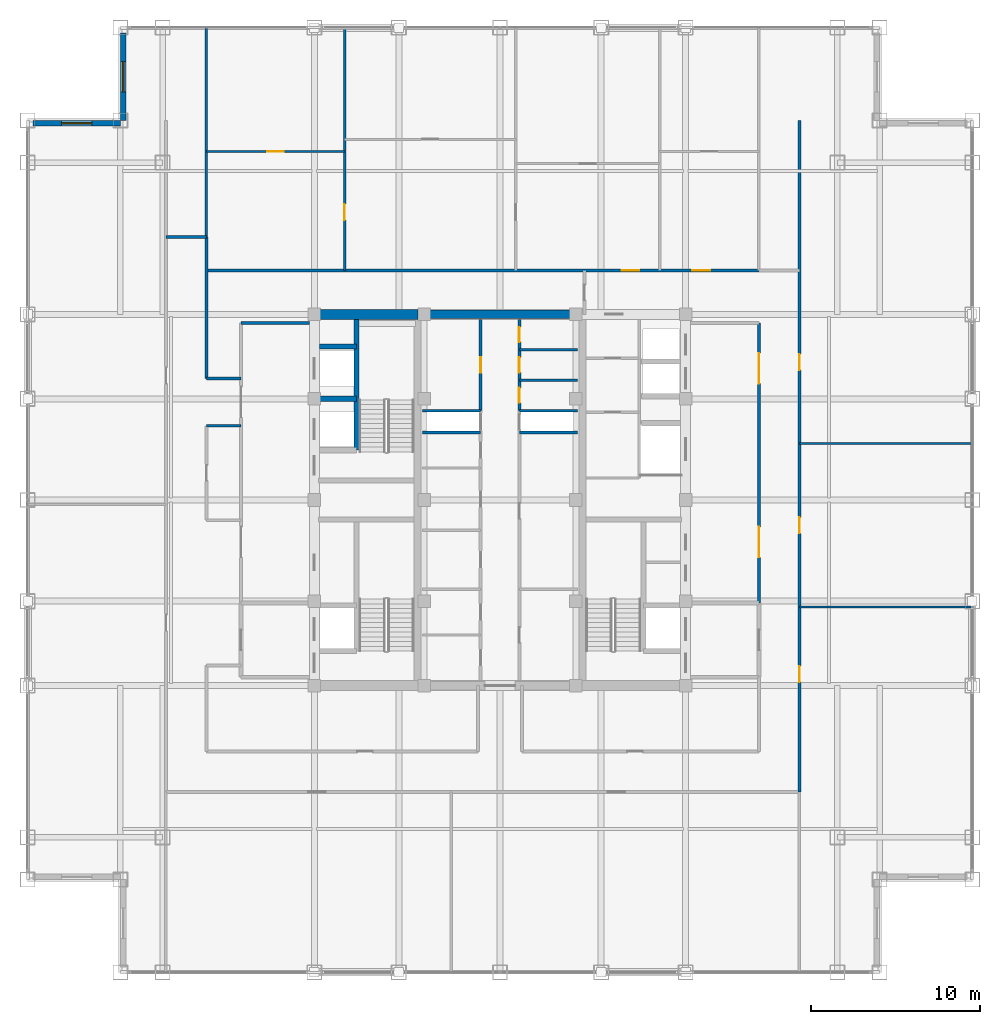
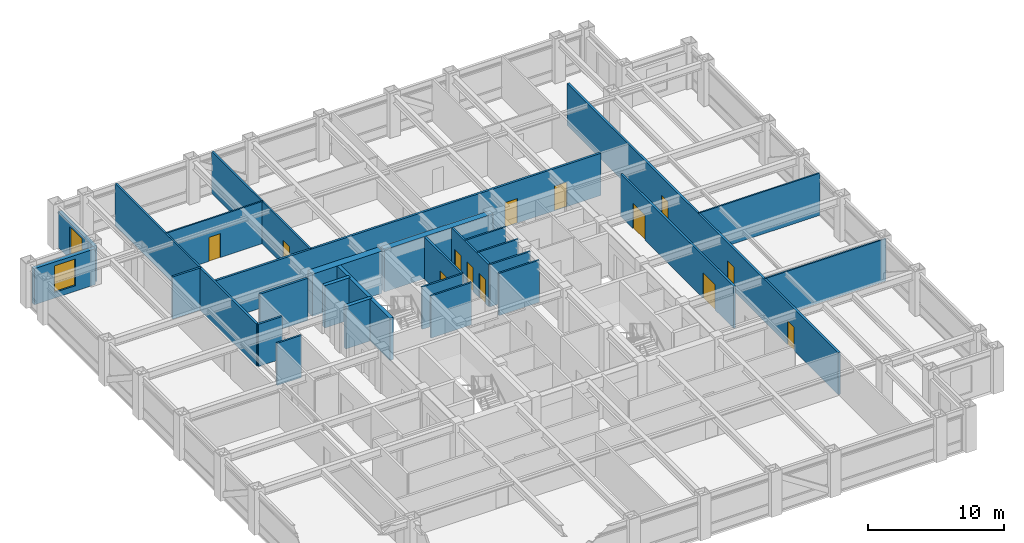
# One storey, part 20 of 22: 28 walls, 13 doors, 2 windows, 15 openings.
"""IFC4 building model written with IfcOpenShell, lengths in metres."""

from ifc_helpers import new_model, si_unit, direction, frame, frame_2d, origin, place, context, subcontext, project, spatial, rectangle, extrude, source, transform, mapped, material, layer, layer_set, type_object, element, fill, save


model = new_model("IFC4")

# Units and contexts
model_context = context("Model", 3, precision=1e-05, world=origin(), true_north=direction((0.0, 1.0)))
body_context = subcontext(model_context, "Body", "Model", "MODEL_VIEW")
ifc_project = project(units=[si_unit("LENGTHUNIT", "METRE"), si_unit("AREAUNIT", "SQUARE_METRE"), si_unit("VOLUMEUNIT", "CUBIC_METRE"), si_unit("PLANEANGLEUNIT", "RADIAN"), si_unit("MASSUNIT", "GRAM", prefix="KILO")], contexts=[model_context])

# Site, building, storey
site_placement = place(None, origin())
site = spatial("IfcSite", under=ifc_project, at=site_placement, CompositionType="ELEMENT")
building_placement = place(site_placement, origin())
building = spatial("IfcBuilding", under=site, at=building_placement, Name="Khorayat Bourse Tower", CompositionType="ELEMENT")
storey_placement = place(building_placement, frame((0.0, 0.0, 309.5)))
storey = spatial("IfcBuildingStorey", under=building, at=storey_placement, Name="L73", CompositionType="ELEMENT", Elevation=309.5)

# Walls
ifc_material_1 = material(Name="Concrete C60/75", Category="concrete")
ifc_layer_1 = layer(ifc_material_1, 0.60009765625)
ifc_layer_set_1 = layer_set([ifc_layer_1], Name="Concrete C60/75")
wall_type_1 = type_object("IfcWallType", Name="WAL-CORE-600", PredefinedType="SHEAR", material=ifc_layer_set_1)
shared_shape_1 = source(origin(), body_context, "Body", "SweptSolid", [
    extrude(rectangle(XDim=5.89990234375, YDim=0.60009765625, at=frame_2d((2.949951171875, 0.0))), origin(), (0.0, 0.0, 1.0), 3.780029296875),
])
wall_1_placement = place(storey_placement, frame((-10.75, 11.0, 0.0), z_axis=(0.0, 0.0, 1.0), x_axis=(1.0, 0.0, 0.0)))
element("IfcWall", 1, at=wall_1_placement, inside=storey, type_object=wall_type_1, Name="L73 Core Shear Wall PIER-WN", PredefinedType="SHEAR", context=body_context, shape_type="MappedRepresentation", body=[
    mapped(shared_shape_1, transform((0.0, 0.0, 0.0), scale=1.0)),
])
ifc_material_2 = material(Name="Concrete C52/65", Category="concrete")
ifc_layer_2 = layer(ifc_material_2, 0.5)
ifc_layer_set_2 = layer_set([ifc_layer_2], Name="Concrete C52/65")
wall_type_2 = type_object("IfcWallType", Name="WAL-CORE-500", PredefinedType="SHEAR", material=ifc_layer_set_2)
shared_shape_2 = source(origin(), body_context, "Body", "SweptSolid", [
    extrude(rectangle(XDim=9.2001953125, YDim=0.5, at=frame_2d((4.60009765625, 0.0))), origin(), (0.0, 0.0, 1.0), 3.780029296875),
])
wall_2_placement = place(storey_placement, frame((-4.60009765625, 11.0, 0.0), z_axis=(0.0, 0.0, 1.0), x_axis=(1.0, 0.0, 0.0)))
element("IfcWall", 2, at=wall_2_placement, inside=storey, type_object=wall_type_2, Name="L73 Core Shear Wall CORE-N", PredefinedType="SHEAR", context=body_context, shape_type="MappedRepresentation", body=[
    mapped(shared_shape_2, transform((0.0, 0.0, 0.0), scale=1.0)),
])

# Wall, opening, window
ifc_material_3 = material(Name="Precast concrete C45/55", Category="concrete")
ifc_layer_3 = layer(ifc_material_3, 0.320068359375)
ifc_layer_set_3 = layer_set([ifc_layer_3], Name="Precast concrete C45/55")
wall_type_3 = type_object("IfcWallType", Name="WAL-EXT-STONE-320", PredefinedType="STANDARD", material=ifc_layer_set_3)
shared_shape_3 = source(origin(), body_context, "Body", "SweptSolid", [
    extrude(rectangle(XDim=5.179931640625, YDim=0.320068359375, at=frame_2d((2.58984375, 0.0))), origin(), (0.0, 0.0, 1.0), 3.23095703125),
])
wall_3_placement = place(storey_placement, frame((-22.340087890625, 22.5, 0.0), z_axis=(0.0, 0.0, 1.0), x_axis=(0.0, 1.0, 0.0)))
wall_3 = element("IfcWall", 3, at=wall_3_placement, inside=storey, type_object=wall_type_3, Name="L73 Re-Entrant Notch Limestone Wall NW-V", PredefinedType="STANDARD", context=body_context, shape_type="MappedRepresentation", body=[
    mapped(shared_shape_3, transform((0.0, 0.0, 0.0), scale=1.0)),
])
shared_shape_4 = source(origin(), body_context, "Body", "SweptSolid", [
    extrude(rectangle(XDim=1.800048828125, YDim=2.39990234375, at=frame_2d((0.89990234375, 1.199951171875))), frame((0.0, 0.169921875, 0.0), z_axis=(0.0, -1.0, 0.0), x_axis=(1.0, 0.0, 0.0)), (0.0, 0.0, 1.0), 0.340087890625),
])
opening_1_placement = place(wall_3_placement, frame((1.68994140625, 0.0, 0.5)))
opening_1 = element("IfcOpeningElement", 4, at=opening_1_placement, cuts=wall_3, Name="Opening WN-04", PredefinedType="OPENING", context=body_context, shape_type="MappedRepresentation", body=[
    mapped(shared_shape_4, transform((0.0, 0.0, 0.0), scale=1.0)),
])
ifc_material_4 = material(Name="Low-E acoustic laminated double glazing", Category="glass")
window_type = type_object("IfcWindowType", Name="WIN-NOTCH-1800x2400", PartitioningType="SINGLE_PANEL", PredefinedType="WINDOW", material=ifc_material_4)
shared_shape_5 = source(origin(), body_context, "Body", "SweptSolid", [
    extrude(rectangle(XDim=1.800048828125, YDim=2.39990234375, at=frame_2d((0.89990234375, 1.199951171875))), frame((0.0, 0.030029296875, 0.0), z_axis=(0.0, -1.0, 0.0), x_axis=(1.0, 0.0, 0.0)), (0.0, 0.0, 1.0), 0.06005859375),
])
window_1_placement = place(opening_1_placement, origin())
window_1 = element("IfcWindow", 5, at=window_1_placement, inside=storey, type_object=window_type, Name="L73 Facade Window 1", OverallHeight=2.39990234375, OverallWidth=1.800048828125, PartitioningType="SINGLE_PANEL", PredefinedType="WINDOW", context=body_context, shape_type="MappedRepresentation", body=[
    mapped(shared_shape_5, transform((0.0, 0.0, 0.0), scale=1.0)),
])
fill(opening_1, window_1)

wall_4_placement = place(storey_placement, frame((-22.5, 22.340087890625, 0.0), z_axis=(0.0, 0.0, 1.0), x_axis=(-1.0, 0.0, 0.0)))
wall_4 = element("IfcWall", 6, at=wall_4_placement, inside=storey, type_object=wall_type_3, Name="L73 Re-Entrant Notch Limestone Wall NW-H", PredefinedType="STANDARD", context=body_context, shape_type="MappedRepresentation", body=[
    mapped(shared_shape_3, transform((0.0, 0.0, 0.0), scale=1.0)),
])
opening_2_placement = place(wall_4_placement, frame((1.68994140625, 0.0, 0.5)))
opening_2 = element("IfcOpeningElement", 7, at=opening_2_placement, cuts=wall_4, Name="Opening WN-04", PredefinedType="OPENING", context=body_context, shape_type="MappedRepresentation", body=[
    mapped(shared_shape_4, transform((0.0, 0.0, 0.0), scale=1.0)),
])
window_2_placement = place(opening_2_placement, origin())
window_2 = element("IfcWindow", 8, at=window_2_placement, inside=storey, type_object=window_type, Name="L73 Facade Window 1", OverallHeight=2.39990234375, OverallWidth=1.800048828125, PartitioningType="SINGLE_PANEL", PredefinedType="WINDOW", context=body_context, shape_type="MappedRepresentation", body=[
    mapped(shared_shape_5, transform((0.0, 0.0, 0.0), scale=1.0)),
])
fill(opening_2, window_2)

# Walls
ifc_material_5 = material(Name="Concrete C50/60", Category="concrete")
ifc_layer_4 = layer(ifc_material_5, 0.300048828125)
ifc_layer_set_4 = layer_set([ifc_layer_4], Name="Concrete C50/60")
wall_type_4 = type_object("IfcWallType", Name="WAL-SHAFT-300", PredefinedType="SHEAR", material=ifc_layer_set_4)
shared_shape_6 = source(origin(), body_context, "Body", "SweptSolid", [
    extrude(rectangle(XDim=2.199951171875, YDim=0.300048828125, at=frame_2d((1.10009765625, 0.0))), origin(), (0.0, 0.0, 1.0), 3.780029296875),
])
for number, where, z_axis, x_axis, name in (
    (9, (-10.699951171875, 6.0, 0.0), (0.0, 0.0, 1.0), (1.0, 0.0, 0.0), "L73 Partition WAL-L73-WPIER-H12"),
    (10, (-10.699951171875, 9.10009765625, 0.0), (0.0, 0.0, 1.0), (1.0, 0.0, 0.0), "L73 Partition WAL-L73-WPIER-H2N"),
):
    element("IfcWall", number, at=place(storey_placement, frame(where, z_axis=z_axis, x_axis=x_axis)), inside=storey, type_object=wall_type_4, Name=name, PredefinedType="SHEAR", context=body_context, shape_type="MappedRepresentation", body=[
        mapped(shared_shape_6, transform((0.0, 0.0, 0.0), scale=1.0)),
    ])
shared_shape_7 = source(origin(), body_context, "Body", "SweptSolid", [
    extrude(rectangle(XDim=7.75, YDim=0.300048828125, at=frame_2d((3.875, 0.0))), origin(), (0.0, 0.0, 1.0), 3.780029296875),
])
wall_5_placement = place(storey_placement, frame((-8.5, 2.949951171875, 0.0), z_axis=(0.0, 0.0, 1.0), x_axis=(0.0, 1.0, 0.0)))
element("IfcWall", 11, at=wall_5_placement, inside=storey, type_object=wall_type_4, Name="L73 Partition WAL-L73-WPIER-ST2S", PredefinedType="SHEAR", context=body_context, shape_type="MappedRepresentation", body=[
    mapped(shared_shape_7, transform((0.0, 0.0, 0.0), scale=1.0)),
])
ifc_material_6 = material(Name="Gypsum plasterboard acoustic stud wall")
ifc_layer_5 = layer(ifc_material_6, 0.179931640625)
ifc_layer_set_5 = layer_set([ifc_layer_5], Name="Gypsum plasterboard acoustic stud wall")
wall_type_5 = type_object("IfcWallType", Name="WAL-PART-CORR-180", PredefinedType="PARTITIONING", material=ifc_layer_set_5)
shared_shape_8 = source(origin(), body_context, "Body", "SweptSolid", [
    extrude(rectangle(XDim=4.050048828125, YDim=0.179931640625, at=frame_2d((2.02490234375, 0.0))), origin(), (0.0, 0.0, 1.0), 3.780029296875),
])
wall_6_placement = place(storey_placement, frame((-15.35009765625, 10.5, 0.0), z_axis=(0.0, 0.0, 1.0), x_axis=(1.0, 0.0, 0.0)))
element("IfcWall", 12, at=wall_6_placement, inside=storey, type_object=wall_type_5, Name="L73 Partition WAL-L73-WLOB-N", PredefinedType="PARTITIONING", context=body_context, shape_type="MappedRepresentation", body=[
    mapped(shared_shape_8, transform((0.0, 0.0, 0.0), scale=1.0)),
])

# Wall, openings, doors
shared_shape_9 = source(origin(), body_context, "Body", "SweptSolid", [
    extrude(rectangle(XDim=16.60009765625, YDim=0.179931640625, at=frame_2d((8.300048828125, 0.0))), origin(), (0.0, 0.0, 1.0), 3.780029296875),
])
wall_7_placement = place(storey_placement, frame((15.35009765625, -6.10009765625, 0.0), z_axis=(0.0, 0.0, 1.0), x_axis=(0.0, 1.0, 0.0)))
wall_7 = element("IfcWall", 13, at=wall_7_placement, inside=storey, type_object=wall_type_5, Name="L73 Partition WAL-L73-ELOB-E", PredefinedType="PARTITIONING", context=body_context, shape_type="MappedRepresentation", body=[
    mapped(shared_shape_9, transform((0.0, 0.0, 0.0), scale=1.0)),
])
shared_shape_10 = source(origin(), body_context, "Body", "SweptSolid", [
    extrude(rectangle(XDim=1.800048828125, YDim=2.25, at=frame_2d((0.89990234375, 1.125))), frame((0.0, 0.099853515625, 0.0), z_axis=(0.0, -1.0, 0.0), x_axis=(1.0, 0.0, 0.0)), (0.0, 0.0, 1.0), 0.199951171875),
])
opening_3_placement = place(wall_7_placement, frame((2.699951171875, 0.0, 0.0)))
opening_3 = element("IfcOpeningElement", 14, at=opening_3_placement, cuts=wall_7, Name="Opening DI-03", PredefinedType="OPENING", context=body_context, shape_type="MappedRepresentation", body=[
    mapped(shared_shape_10, transform((0.0, 0.0, 0.0), scale=1.0)),
])
opening_4_placement = place(wall_7_placement, frame((13.0, 0.0, 0.0)))
opening_4 = element("IfcOpeningElement", 15, at=opening_4_placement, cuts=wall_7, Name="Opening DI-03", PredefinedType="OPENING", context=body_context, shape_type="MappedRepresentation", body=[
    mapped(shared_shape_10, transform((0.0, 0.0, 0.0), scale=1.0)),
])
ifc_material_7 = material(Name="Fire-rated hardwood vision-panel double leaf", Category="wood")
door_type_1 = type_object("IfcDoorType", Name="DR-INT-CORR-1800", OperationType="NOTDEFINED", PredefinedType="DOOR", material=ifc_material_7)
shared_shape_11 = source(origin(), body_context, "Body", "SweptSolid", [
    extrude(rectangle(XDim=1.800048828125, YDim=2.25, at=frame_2d((0.89990234375, 1.125))), frame((0.0, 0.02490234375, 0.0), z_axis=(0.0, -1.0, 0.0), x_axis=(1.0, 0.0, 0.0)), (0.0, 0.0, 1.0), 0.050048828125),
])
door_1_placement = place(opening_3_placement, origin())
door_1 = element("IfcDoor", 16, at=door_1_placement, inside=storey, type_object=door_type_1, Name="L73 East Core Lobby South Door", OperationType="SINGLE_SWING_RIGHT", OverallHeight=2.25, OverallWidth=1.800048828125, PredefinedType="DOOR", context=body_context, shape_type="MappedRepresentation", body=[
    mapped(shared_shape_11, transform((0.0, 0.0, 0.0), scale=1.0)),
])
fill(opening_3, door_1)
door_2_placement = place(opening_4_placement, origin())
door_2 = element("IfcDoor", 17, at=door_2_placement, inside=storey, type_object=door_type_1, Name="L73 East Core Lobby North Door", OperationType="SINGLE_SWING_LEFT", OverallHeight=2.25, OverallWidth=1.800048828125, PredefinedType="DOOR", context=body_context, shape_type="MappedRepresentation", body=[
    mapped(shared_shape_11, transform((0.0, 0.0, 0.0), scale=1.0)),
])
fill(opening_4, door_2)

# Walls
ifc_material_8 = material(Name="Gypsum plasterboard twin-frame partition")
ifc_layer_6 = layer(ifc_material_8, 0.14990234375)
ifc_layer_set_6 = layer_set([ifc_layer_6], Name="Gypsum plasterboard twin-frame partition")
wall_type_6 = type_object("IfcWallType", Name="WAL-PART-SUITE-150", PredefinedType="PARTITIONING", material=ifc_layer_set_6)
shared_shape_12 = source(origin(), body_context, "Body", "SweptSolid", [
    extrude(rectangle(XDim=3.4501953125, YDim=0.14990234375, at=frame_2d((1.72509765625, 0.0))), origin(), (0.0, 0.0, 1.0), 3.780029296875),
])
for number, where, z_axis, x_axis, name in (
    (18, (-4.60009765625, 4.0, 0.0), (0.0, 0.0, 1.0), (1.0, 0.0, 0.0), "L73 Partition WAL-L73-CRSW-S"),
    (19, (1.14990234375, 4.0, 0.0), (0.0, 0.0, 1.0), (1.0, 0.0, 0.0), "L73 Partition WAL-L73-CRSE-S"),
    (20, (-4.60009765625, 5.300048828125, 0.0), (0.0, 0.0, 1.0), (1.0, 0.0, 0.0), "L73 Partition WAL-L73-FB2-SW"),
    (21, (1.14990234375, 5.300048828125, 0.0), (0.0, 0.0, 1.0), (1.0, 0.0, 0.0), "L73 Partition WAL-L73-FB2-SE"),
):
    element("IfcWall", number, at=place(storey_placement, frame(where, z_axis=z_axis, x_axis=x_axis)), inside=storey, type_object=wall_type_6, Name=name, PredefinedType="PARTITIONING", context=body_context, shape_type="MappedRepresentation", body=[
        mapped(shared_shape_12, transform((0.0, 0.0, 0.0), scale=1.0)),
    ])

# Wall, opening, door
shared_shape_13 = source(origin(), body_context, "Body", "SweptSolid", [
    extrude(rectangle(XDim=5.39990234375, YDim=0.179931640625, at=frame_2d((2.699951171875, 0.0))), origin(), (0.0, 0.0, 1.0), 3.780029296875),
])
wall_8_placement = place(storey_placement, frame((-1.14990234375, 5.300048828125, 0.0), z_axis=(0.0, 0.0, 1.0), x_axis=(0.0, 1.0, 0.0)))
wall_8 = element("IfcWall", 22, at=wall_8_placement, inside=storey, type_object=wall_type_5, Name="L73 Partition WAL-L73-FB2W-L", PredefinedType="PARTITIONING", context=body_context, shape_type="MappedRepresentation", body=[
    mapped(shared_shape_13, transform((0.0, 0.0, 0.0), scale=1.0)),
])
shared_shape_14 = source(origin(), body_context, "Body", "SweptSolid", [
    extrude(rectangle(XDim=0.89990234375, YDim=2.14990234375, at=frame_2d((0.449951171875, 1.074951171875))), frame((0.0, 0.099853515625, 0.0), z_axis=(0.0, -1.0, 0.0), x_axis=(1.0, 0.0, 0.0)), (0.0, 0.0, 1.0), 0.199951171875),
])
opening_5_placement = place(wall_8_placement, frame((2.25, 0.0, 0.0)))
opening_5 = element("IfcOpeningElement", 23, at=opening_5_placement, cuts=wall_8, Name="Opening DI-06", PredefinedType="OPENING", context=body_context, shape_type="MappedRepresentation", body=[
    mapped(shared_shape_14, transform((0.0, 0.0, 0.0), scale=1.0)),
])
ifc_material_9 = material(Name="Moisture-resistant laminate washroom door")
door_type_2 = type_object("IfcDoorType", Name="DR-INT-WC-900", OperationType="NOTDEFINED", PredefinedType="DOOR", material=ifc_material_9)
shared_shape_15 = source(origin(), body_context, "Body", "SweptSolid", [
    extrude(rectangle(XDim=0.89990234375, YDim=2.14990234375, at=frame_2d((0.449951171875, 1.074951171875))), frame((0.0, 0.02490234375, 0.0), z_axis=(0.0, -1.0, 0.0), x_axis=(1.0, 0.0, 0.0)), (0.0, 0.0, 1.0), 0.050048828125),
])
door_3_placement = place(opening_5_placement, origin())
door_3 = element("IfcDoor", 24, at=door_3_placement, inside=storey, type_object=door_type_2, Name="L73 Executive Archive Vault Door", OperationType="SINGLE_SWING_RIGHT", OverallHeight=2.14990234375, OverallWidth=0.89990234375, PredefinedType="DOOR", context=body_context, shape_type="MappedRepresentation", body=[
    mapped(shared_shape_15, transform((0.0, 0.0, 0.0), scale=1.0)),
])
fill(opening_5, door_3)

# Wall, openings, doors
wall_9_placement = place(storey_placement, frame((1.14990234375, 5.300048828125, 0.0), z_axis=(0.0, 0.0, 1.0), x_axis=(0.0, 1.0, 0.0)))
wall_9 = element("IfcWall", 25, at=wall_9_placement, inside=storey, type_object=wall_type_5, Name="L73 Partition WAL-L73-FB2E-L", PredefinedType="PARTITIONING", context=body_context, shape_type="MappedRepresentation", body=[
    mapped(shared_shape_13, transform((0.0, 0.0, 0.0), scale=1.0)),
])
opening_6_placement = place(wall_9_placement, frame((0.449951171875, 0.0, 0.0)))
opening_6 = element("IfcOpeningElement", 26, at=opening_6_placement, cuts=wall_9, Name="Opening DI-06", PredefinedType="OPENING", context=body_context, shape_type="MappedRepresentation", body=[
    mapped(shared_shape_14, transform((0.0, 0.0, 0.0), scale=1.0)),
])
opening_7_placement = place(wall_9_placement, frame((2.25, 0.0, 0.0)))
opening_7 = element("IfcOpeningElement", 27, at=opening_7_placement, cuts=wall_9, Name="Opening DI-06", PredefinedType="OPENING", context=body_context, shape_type="MappedRepresentation", body=[
    mapped(shared_shape_14, transform((0.0, 0.0, 0.0), scale=1.0)),
])
opening_8_placement = place(wall_9_placement, frame((4.050048828125, 0.0, 0.0)))
opening_8 = element("IfcOpeningElement", 28, at=opening_8_placement, cuts=wall_9, Name="Opening DI-06", PredefinedType="OPENING", context=body_context, shape_type="MappedRepresentation", body=[
    mapped(shared_shape_14, transform((0.0, 0.0, 0.0), scale=1.0)),
])
door_4_placement = place(opening_6_placement, origin())
door_4 = element("IfcDoor", 29, at=door_4_placement, inside=storey, type_object=door_type_2, Name="L73 Facility Store A Door", OperationType="SINGLE_SWING_RIGHT", OverallHeight=2.14990234375, OverallWidth=0.89990234375, PredefinedType="DOOR", context=body_context, shape_type="MappedRepresentation", body=[
    mapped(shared_shape_15, transform((0.0, 0.0, 0.0), scale=1.0)),
])
fill(opening_6, door_4)
door_5_placement = place(opening_7_placement, origin())
door_5 = element("IfcDoor", 30, at=door_5_placement, inside=storey, type_object=door_type_2, Name="L73 BMS Closet Door", OperationType="SINGLE_SWING_LEFT", OverallHeight=2.14990234375, OverallWidth=0.89990234375, PredefinedType="DOOR", context=body_context, shape_type="MappedRepresentation", body=[
    mapped(shared_shape_15, transform((0.0, 0.0, 0.0), scale=1.0)),
])
fill(opening_7, door_5)
door_6_placement = place(opening_8_placement, origin())
door_6 = element("IfcDoor", 31, at=door_6_placement, inside=storey, type_object=door_type_2, Name="L73 Facility Store B Door", OperationType="SINGLE_SWING_RIGHT", OverallHeight=2.14990234375, OverallWidth=0.89990234375, PredefinedType="DOOR", context=body_context, shape_type="MappedRepresentation", body=[
    mapped(shared_shape_15, transform((0.0, 0.0, 0.0), scale=1.0)),
])
fill(opening_8, door_6)

# Walls
ifc_material_10 = material(Name="Moisture-resistant masonry partition", Category="masonry")
ifc_layer_7 = layer(ifc_material_10, 0.139892578125)
ifc_layer_set_7 = layer_set([ifc_layer_7], Name="Moisture-resistant masonry partition")
wall_type_7 = type_object("IfcWallType", Name="WAL-PART-WET-140", PredefinedType="PARTITIONING", material=ifc_layer_set_7)
shared_shape_16 = source(origin(), body_context, "Body", "SweptSolid", [
    extrude(rectangle(XDim=3.4501953125, YDim=0.139892578125, at=frame_2d((1.72509765625, 0.0))), origin(), (0.0, 0.0, 1.0), 3.780029296875),
])
for number, where, z_axis, x_axis, name in (
    (32, (1.14990234375, 7.10009765625, 0.0), (0.0, 0.0, 1.0), (1.0, 0.0, 0.0), "L73 Partition WAL-L73-FB2E-D1"),
    (33, (1.14990234375, 8.89990234375, 0.0), (0.0, 0.0, 1.0), (1.0, 0.0, 0.0), "L73 Partition WAL-L73-FB2E-D2"),
):
    element("IfcWall", number, at=place(storey_placement, frame(where, z_axis=z_axis, x_axis=x_axis)), inside=storey, type_object=wall_type_7, Name=name, PredefinedType="PARTITIONING", context=body_context, shape_type="MappedRepresentation", body=[
        mapped(shared_shape_16, transform((0.0, 0.0, 0.0), scale=1.0)),
    ])
shared_shape_17 = source(origin(), body_context, "Body", "SweptSolid", [
    extrude(rectangle(XDim=2.0498046875, YDim=0.14990234375, at=frame_2d((1.02490234375, 0.0))), origin(), (0.0, 0.0, 1.0), 3.780029296875),
])
wall_10_placement = place(storey_placement, frame((-17.39990234375, 4.39990234375, 0.0), z_axis=(0.0, 0.0, 1.0), x_axis=(1.0, 0.0, 0.0)))
element("IfcWall", 34, at=wall_10_placement, inside=storey, type_object=wall_type_6, Name="L73 Partition WAL-L73-PKWM-N", PredefinedType="PARTITIONING", context=body_context, shape_type="MappedRepresentation", body=[
    mapped(shared_shape_17, transform((0.0, 0.0, 0.0), scale=1.0)),
])
shared_shape_18 = source(origin(), body_context, "Body", "SweptSolid", [
    extrude(rectangle(XDim=2.0498046875, YDim=0.179931640625, at=frame_2d((1.02490234375, 0.0))), origin(), (0.0, 0.0, 1.0), 3.780029296875),
])
wall_11_placement = place(storey_placement, frame((-17.39990234375, 7.199951171875, 0.0), z_axis=(0.0, 0.0, 1.0), x_axis=(1.0, 0.0, 0.0)))
element("IfcWall", 35, at=wall_11_placement, inside=storey, type_object=wall_type_5, Name="L73 Partition WAL-L73-THRWN-T", PredefinedType="PARTITIONING", context=body_context, shape_type="MappedRepresentation", body=[
    mapped(shared_shape_18, transform((0.0, 0.0, 0.0), scale=1.0)),
])
shared_shape_19 = source(origin(), body_context, "Body", "SweptSolid", [
    extrude(rectangle(XDim=8.400146484375, YDim=0.179931640625, at=frame_2d((4.2001953125, 0.0))), origin(), (0.0, 0.0, 1.0), 3.780029296875),
])
wall_12_placement = place(storey_placement, frame((-17.39990234375, 7.199951171875, 0.0), z_axis=(0.0, 0.0, 1.0), x_axis=(0.0, 1.0, 0.0)))
element("IfcWall", 36, at=wall_12_placement, inside=storey, type_object=wall_type_5, Name="L73 Partition WAL-L73-THRWN-N", PredefinedType="PARTITIONING", context=body_context, shape_type="MappedRepresentation", body=[
    mapped(shared_shape_19, transform((0.0, 0.0, 0.0), scale=1.0)),
])
shared_shape_20 = source(origin(), body_context, "Body", "SweptSolid", [
    extrude(rectangle(XDim=2.400146484375, YDim=0.179931640625, at=frame_2d((1.2001953125, 0.0))), origin(), (0.0, 0.0, 1.0), 3.780029296875),
])
wall_13_placement = place(storey_placement, frame((-19.800048828125, 15.60009765625, 0.0), z_axis=(0.0, 0.0, 1.0), x_axis=(1.0, 0.0, 0.0)))
element("IfcWall", 37, at=wall_13_placement, inside=storey, type_object=wall_type_5, Name="L73 Partition WAL-L73-GALW-N", PredefinedType="PARTITIONING", context=body_context, shape_type="MappedRepresentation", body=[
    mapped(shared_shape_20, transform((0.0, 0.0, 0.0), scale=1.0)),
])

# Wall, openings, doors
shared_shape_21 = source(origin(), body_context, "Body", "SweptSolid", [
    extrude(rectangle(XDim=32.75, YDim=0.179931640625, at=frame_2d((16.375, 0.0))), origin(), (0.0, 0.0, 1.0), 3.780029296875),
])
wall_14_placement = place(storey_placement, frame((-17.39990234375, 13.60009765625, 0.0), z_axis=(0.0, 0.0, 1.0), x_axis=(1.0, 0.0, 0.0)))
wall_14 = element("IfcWall", 38, at=wall_14_placement, inside=storey, type_object=wall_type_5, Name="L73 Partition WAL-L73-NCORR", PredefinedType="PARTITIONING", context=body_context, shape_type="MappedRepresentation", body=[
    mapped(shared_shape_21, transform((0.0, 0.0, 0.0), scale=1.0)),
])
shared_shape_22 = source(origin(), body_context, "Body", "SweptSolid", [
    extrude(rectangle(XDim=1.050048828125, YDim=2.199951171875, at=frame_2d((0.52490234375, 1.10009765625))), frame((0.0, 0.099853515625, 0.0), z_axis=(0.0, -1.0, 0.0), x_axis=(1.0, 0.0, 0.0)), (0.0, 0.0, 1.0), 0.199951171875),
])
opening_9_placement = place(wall_14_placement, frame((24.6025390625, 0.0, 0.0)))
opening_9 = element("IfcOpeningElement", 39, at=opening_9_placement, cuts=wall_14, Name="Opening DI-04", PredefinedType="OPENING", context=body_context, shape_type="MappedRepresentation", body=[
    mapped(shared_shape_22, transform((0.0, 0.0, 0.0), scale=1.0)),
])
opening_10_placement = place(wall_14_placement, frame((28.802490234375, 0.0, 0.0)))
opening_10 = element("IfcOpeningElement", 40, at=opening_10_placement, cuts=wall_14, Name="Opening DI-04", PredefinedType="OPENING", context=body_context, shape_type="MappedRepresentation", body=[
    mapped(shared_shape_22, transform((0.0, 0.0, 0.0), scale=1.0)),
])
ifc_material_11 = material(Name="Fire-rated oak veneer suite entrance door")
door_type_3 = type_object("IfcDoorType", Name="DR-INT-SUITE-1050", OperationType="NOTDEFINED", PredefinedType="DOOR", material=ifc_material_11)
shared_shape_23 = source(origin(), body_context, "Body", "SweptSolid", [
    extrude(rectangle(XDim=1.050048828125, YDim=2.199951171875, at=frame_2d((0.52490234375, 1.10009765625))), frame((0.0, 0.02490234375, 0.0), z_axis=(0.0, -1.0, 0.0), x_axis=(1.0, 0.0, 0.0)), (0.0, 0.0, 1.0), 0.050048828125),
])
door_7_placement = place(opening_9_placement, origin())
door_7 = element("IfcDoor", 41, at=door_7_placement, inside=storey, type_object=door_type_3, Name="L73 Staff Tea Pantry N3 Door", OperationType="SINGLE_SWING_RIGHT", OverallHeight=2.199951171875, OverallWidth=1.050048828125, PredefinedType="DOOR", context=body_context, shape_type="MappedRepresentation", body=[
    mapped(shared_shape_23, transform((0.0, 0.0, 0.0), scale=1.0)),
])
fill(opening_9, door_7)
door_8_placement = place(opening_10_placement, origin())
door_8 = element("IfcDoor", 42, at=door_8_placement, inside=storey, type_object=door_type_3, Name="L73 Clearing Operations Office N4 Door", OperationType="SINGLE_SWING_LEFT", OverallHeight=2.199951171875, OverallWidth=1.050048828125, PredefinedType="DOOR", context=body_context, shape_type="MappedRepresentation", body=[
    mapped(shared_shape_23, transform((0.0, 0.0, 0.0), scale=1.0)),
])
fill(opening_10, door_8)

# Wall
shared_shape_24 = source(origin(), body_context, "Body", "SweptSolid", [
    extrude(rectangle(XDim=12.39990234375, YDim=0.14990234375, at=frame_2d((6.199951171875, 0.0))), origin(), (0.0, 0.0, 1.0), 3.780029296875),
])
wall_15_placement = place(storey_placement, frame((-17.39990234375, 15.60009765625, 0.0), z_axis=(0.0, 0.0, 1.0), x_axis=(0.0, 1.0, 0.0)))
element("IfcWall", 43, at=wall_15_placement, inside=storey, type_object=wall_type_6, Name="L73 Partition WAL-L73-NCW-END", PredefinedType="PARTITIONING", context=body_context, shape_type="MappedRepresentation", body=[
    mapped(shared_shape_24, transform((0.0, 0.0, 0.0), scale=1.0)),
])

# Wall, opening, door
shared_shape_25 = source(origin(), body_context, "Body", "SweptSolid", [
    extrude(rectangle(XDim=14.39990234375, YDim=0.14990234375, at=frame_2d((7.199951171875, 0.0))), origin(), (0.0, 0.0, 1.0), 3.780029296875),
])
wall_16_placement = place(storey_placement, frame((-9.21240234375, 13.60009765625, 0.0), z_axis=(0.0, 0.0, 1.0), x_axis=(0.0, 1.0, 0.0)))
wall_16 = element("IfcWall", 44, at=wall_16_placement, inside=storey, type_object=wall_type_6, Name="L73 Partition WAL-L73-NDV-1", PredefinedType="PARTITIONING", context=body_context, shape_type="MappedRepresentation", body=[
    mapped(shared_shape_25, transform((0.0, 0.0, 0.0), scale=1.0)),
])
shared_shape_26 = source(origin(), body_context, "Body", "SweptSolid", [
    extrude(rectangle(XDim=0.949951171875, YDim=2.14990234375, at=frame_2d((0.47509765625, 1.074951171875))), frame((0.0, 0.0849609375, 0.0), z_axis=(0.0, -1.0, 0.0), x_axis=(1.0, 0.0, 0.0)), (0.0, 0.0, 1.0), 0.169921875),
])
opening_11_placement = place(wall_16_placement, frame((2.98095703125, 0.0, 0.0)))
opening_11 = element("IfcOpeningElement", 45, at=opening_11_placement, cuts=wall_16, Name="Opening DI-05", PredefinedType="OPENING", context=body_context, shape_type="MappedRepresentation", body=[
    mapped(shared_shape_26, transform((0.0, 0.0, 0.0), scale=1.0)),
])
ifc_material_12 = material(Name="Acoustic oak veneer office door")
door_type_4 = type_object("IfcDoorType", Name="DR-INT-OFFICE-950", OperationType="NOTDEFINED", PredefinedType="DOOR", material=ifc_material_12)
shared_shape_27 = source(origin(), body_context, "Body", "SweptSolid", [
    extrude(rectangle(XDim=0.949951171875, YDim=2.14990234375, at=frame_2d((0.47509765625, 1.074951171875))), frame((0.0, 0.02490234375, 0.0), z_axis=(0.0, -1.0, 0.0), x_axis=(1.0, 0.0, 0.0)), (0.0, 0.0, 1.0), 0.050048828125),
])
door_9_placement = place(opening_11_placement, origin())
door_9 = element("IfcDoor", 46, at=door_9_placement, inside=storey, type_object=door_type_4, Name="L73 N Suite Link 1", OperationType="SINGLE_SWING_RIGHT", OverallHeight=2.14990234375, OverallWidth=0.949951171875, PredefinedType="DOOR", context=body_context, shape_type="MappedRepresentation", body=[
    mapped(shared_shape_27, transform((0.0, 0.0, 0.0), scale=1.0)),
])
fill(opening_11, door_9)

# Walls
ifc_material_13 = material(Name="Gypsum plasterboard partition")
ifc_layer_8 = layer(ifc_material_13, 0.125)
ifc_layer_set_8 = layer_set([ifc_layer_8], Name="Gypsum plasterboard partition")
wall_type_8 = type_object("IfcWallType", Name="WAL-PART-ROOM-125", PredefinedType="PARTITIONING", material=ifc_layer_set_8)
shared_shape_28 = source(origin(), body_context, "Body", "SweptSolid", [
    extrude(rectangle(XDim=10.25, YDim=0.125, at=frame_2d((5.125, 0.0))), origin(), (0.0, 0.0, 1.0), 3.780029296875),
])
for number, where, z_axis, x_axis, name in (
    (47, (17.75, -6.35009765625, 0.0), (0.0, 0.0, 1.0), (1.0, 0.0, 0.0), "L73 Partition WAL-L73-EDV-1"),
    (48, (17.75, 3.340087890625, 0.0), (0.0, 0.0, 1.0), (1.0, 0.0, 0.0), "L73 Partition WAL-L73-EDV-2"),
):
    element("IfcWall", number, at=place(storey_placement, frame(where, z_axis=z_axis, x_axis=x_axis)), inside=storey, type_object=wall_type_8, Name=name, PredefinedType="PARTITIONING", context=body_context, shape_type="MappedRepresentation", body=[
        mapped(shared_shape_28, transform((0.0, 0.0, 0.0), scale=1.0)),
    ])

# Wall, opening, door
shared_shape_29 = source(origin(), body_context, "Body", "SweptSolid", [
    extrude(rectangle(XDim=8.1875, YDim=0.125, at=frame_2d((4.09375, 0.0))), origin(), (0.0, 0.0, 1.0), 3.780029296875),
])
wall_17_placement = place(storey_placement, frame((-17.39990234375, 20.656005859375, 0.0), z_axis=(0.0, 0.0, 1.0), x_axis=(1.0, 0.0, 0.0)))
wall_17 = element("IfcWall", 49, at=wall_17_placement, inside=storey, type_object=wall_type_8, Name="L73 Partition WAL-L73-NDP-1", PredefinedType="PARTITIONING", context=body_context, shape_type="MappedRepresentation", body=[
    mapped(shared_shape_29, transform((0.0, 0.0, 0.0), scale=1.0)),
])
shared_shape_30 = source(origin(), body_context, "Body", "SweptSolid", [
    extrude(rectangle(XDim=0.949951171875, YDim=2.14990234375, at=frame_2d((0.47509765625, 1.074951171875))), frame((0.0, 0.072509765625, 0.0), z_axis=(0.0, -1.0, 0.0), x_axis=(1.0, 0.0, 0.0)), (0.0, 0.0, 1.0), 0.14501953125),
])
opening_12_placement = place(wall_17_placement, frame((3.618896484375, 0.0, 0.0)))
opening_12 = element("IfcOpeningElement", 50, at=opening_12_placement, cuts=wall_17, Name="Opening DI-05", PredefinedType="OPENING", context=body_context, shape_type="MappedRepresentation", body=[
    mapped(shared_shape_30, transform((0.0, 0.0, 0.0), scale=1.0)),
])
door_10_placement = place(opening_12_placement, origin())
door_10 = element("IfcDoor", 51, at=door_10_placement, inside=storey, type_object=door_type_4, Name="L73 Members Club Room N1B Door", OperationType="SINGLE_SWING_RIGHT", OverallHeight=2.14990234375, OverallWidth=0.949951171875, PredefinedType="DOOR", context=body_context, shape_type="MappedRepresentation", body=[
    mapped(shared_shape_27, transform((0.0, 0.0, 0.0), scale=1.0)),
])
fill(opening_12, door_10)

# Wall, openings, doors
shared_shape_31 = source(origin(), body_context, "Body", "SweptSolid", [
    extrude(rectangle(XDim=39.800048828125, YDim=0.179931640625, at=frame_2d((19.89990234375, 0.0))), origin(), (0.0, 0.0, 1.0), 3.780029296875),
])
wall_18_placement = place(storey_placement, frame((17.75, -17.300048828125, 0.0), z_axis=(0.0, 0.0, 1.0), x_axis=(0.0, 1.0, 0.0)))
wall_18 = element("IfcWall", 52, at=wall_18_placement, inside=storey, type_object=wall_type_5, Name="L73 Partition WAL-L73-ECORR", PredefinedType="PARTITIONING", context=body_context, shape_type="MappedRepresentation", body=[
    mapped(shared_shape_31, transform((0.0, 0.0, 0.0), scale=1.0)),
])
shared_shape_32 = source(origin(), body_context, "Body", "SweptSolid", [
    extrude(rectangle(XDim=0.949951171875, YDim=2.14990234375, at=frame_2d((0.47509765625, 1.074951171875))), frame((0.0, 0.099853515625, 0.0), z_axis=(0.0, -1.0, 0.0), x_axis=(1.0, 0.0, 0.0)), (0.0, 0.0, 1.0), 0.199951171875),
])
opening_13_placement = place(wall_18_placement, frame((6.5, 0.0, 0.0)))
opening_13 = element("IfcOpeningElement", 53, at=opening_13_placement, cuts=wall_18, Name="Opening DI-05", PredefinedType="OPENING", context=body_context, shape_type="MappedRepresentation", body=[
    mapped(shared_shape_32, transform((0.0, 0.0, 0.0), scale=1.0)),
])
opening_14_placement = place(wall_18_placement, frame((15.320068359375, 0.0, 0.0)))
opening_14 = element("IfcOpeningElement", 54, at=opening_14_placement, cuts=wall_18, Name="Opening DI-05", PredefinedType="OPENING", context=body_context, shape_type="MappedRepresentation", body=[
    mapped(shared_shape_32, transform((0.0, 0.0, 0.0), scale=1.0)),
])
opening_15_placement = place(wall_18_placement, frame((24.9951171875, 0.0, 0.0)))
opening_15 = element("IfcOpeningElement", 55, at=opening_15_placement, cuts=wall_18, Name="Opening DI-05", PredefinedType="OPENING", context=body_context, shape_type="MappedRepresentation", body=[
    mapped(shared_shape_32, transform((0.0, 0.0, 0.0), scale=1.0)),
])
door_11_placement = place(opening_13_placement, origin())
door_11 = element("IfcDoor", 56, at=door_11_placement, inside=storey, type_object=door_type_4, Name="L73 Brokerage Member Kiosk E1 Door", OperationType="SINGLE_SWING_RIGHT", OverallHeight=2.14990234375, OverallWidth=0.949951171875, PredefinedType="DOOR", context=body_context, shape_type="MappedRepresentation", body=[
    mapped(shared_shape_27, transform((0.0, 0.0, 0.0), scale=1.0)),
])
fill(opening_13, door_11)
door_12_placement = place(opening_14_placement, origin())
door_12 = element("IfcDoor", 57, at=door_12_placement, inside=storey, type_object=door_type_4, Name="L73 Floor Reception Concierge E2 Door", OperationType="SINGLE_SWING_LEFT", OverallHeight=2.14990234375, OverallWidth=0.949951171875, PredefinedType="DOOR", context=body_context, shape_type="MappedRepresentation", body=[
    mapped(shared_shape_27, transform((0.0, 0.0, 0.0), scale=1.0)),
])
fill(opening_14, door_12)
door_13_placement = place(opening_15_placement, origin())
door_13 = element("IfcDoor", 58, at=door_13_placement, inside=storey, type_object=door_type_4, Name="L73 Members Club Room E3 Door", OperationType="SINGLE_SWING_RIGHT", OverallHeight=2.14990234375, OverallWidth=0.949951171875, PredefinedType="DOOR", context=body_context, shape_type="MappedRepresentation", body=[
    mapped(shared_shape_27, transform((0.0, 0.0, 0.0), scale=1.0)),
])
fill(opening_15, door_13)

save(model, "model.ifc")
